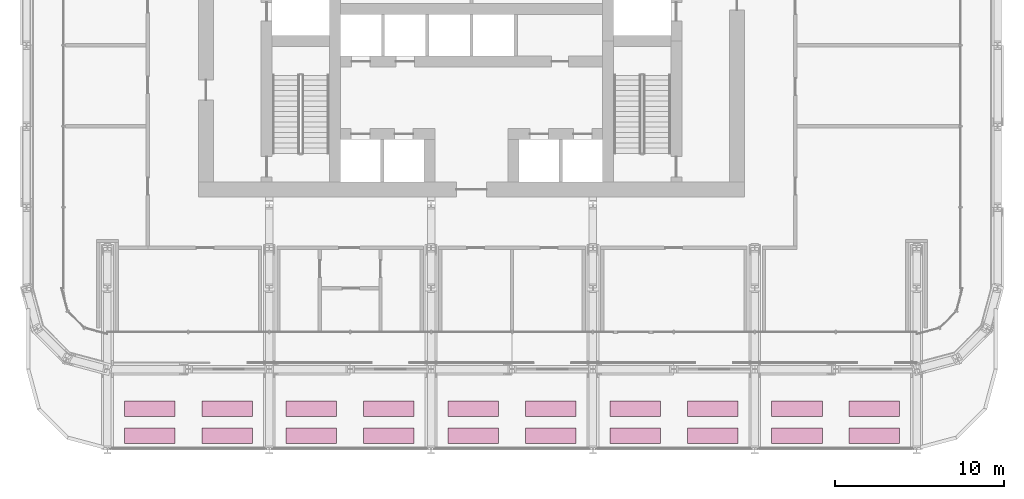
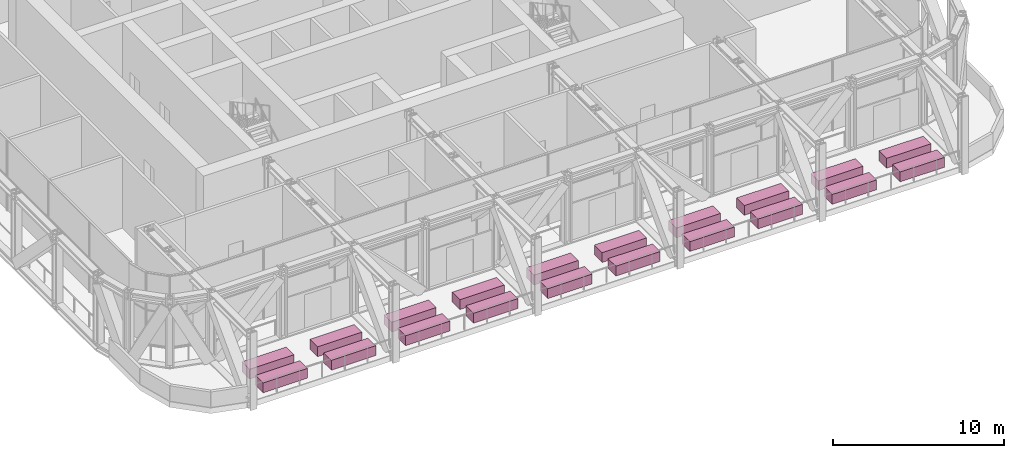
# One storey, part 23 of 23: 20 furniture elements.
"""IFC4 building model written with IfcOpenShell, lengths in metres."""

from ifc_helpers import new_model, si_unit, direction, frame, origin, origin_2d, place, context, subcontext, project, spatial, rectangle, extrude, material, type_object, element, save


model = new_model("IFC4")

# Units and contexts
model_context = context("Model", 3, precision=1e-05, world=origin(), true_north=direction((0.0, 1.0)))
body_context = subcontext(model_context, "Body", "Model", "MODEL_VIEW")
ifc_project = project(units=[si_unit("LENGTHUNIT", "METRE"), si_unit("AREAUNIT", "SQUARE_METRE"), si_unit("VOLUMEUNIT", "CUBIC_METRE"), si_unit("PLANEANGLEUNIT", "RADIAN"), si_unit("MASSUNIT", "GRAM", prefix="KILO")], contexts=[model_context])

# Site, building, storey
site_placement = place(None, origin())
site = spatial("IfcSite", under=ifc_project, at=site_placement, CompositionType="ELEMENT")
building_placement = place(site_placement, origin())
building = spatial("IfcBuilding", under=site, at=building_placement, Name="Madar Terraces", CompositionType="ELEMENT")
storey_placement = place(building_placement, frame((0.0, 0.0, 83.800048828125)))
storey = spatial("IfcBuildingStorey", under=building, at=storey_placement, Name="L21", CompositionType="ELEMENT", Elevation=83.800048828125)

# Furniture
ifc_material = material(Name="Precast concrete C30/37, planted soil", Category="concrete")
furniture_type = type_object("IfcFurnitureType", Name="Terrace planter 3000 x 900 x 700", AssemblyPlace="NOTDEFINED", PredefinedType="NOTDEFINED", material=ifc_material)
for number, where, z_axis, x_axis, name in (
    (1, (12.102294921875, 0.85009765625, 0.0400390625), (0.0, 0.0, 1.0), (1.0, 0.0, 0.0), "PLANTER L21 1"),
    (2, (16.697509765625, 0.85009765625, 0.0400390625), (0.0, 0.0, 1.0), (1.0, 0.0, 0.0), "PLANTER L21 2"),
    (3, (12.102294921875, 2.449951171875, 0.0400390625), (0.0, 0.0, 1.0), (1.0, 0.0, 0.0), "PLANTER L21 3"),
    (4, (16.697509765625, 2.449951171875, 0.0400390625), (0.0, 0.0, 1.0), (1.0, 0.0, 0.0), "PLANTER L21 4"),
    (5, (21.702392578125, 0.85009765625, 0.0400390625), (0.0, 0.0, 1.0), (1.0, 0.0, 0.0), "PLANTER L21 1"),
    (6, (26.297607421875, 0.85009765625, 0.0400390625), (0.0, 0.0, 1.0), (1.0, 0.0, 0.0), "PLANTER L21 2"),
    (7, (21.702392578125, 2.449951171875, 0.0400390625), (0.0, 0.0, 1.0), (1.0, 0.0, 0.0), "PLANTER L21 3"),
    (8, (26.297607421875, 2.449951171875, 0.0400390625), (0.0, 0.0, 1.0), (1.0, 0.0, 0.0), "PLANTER L21 4"),
    (9, (31.302490234375, 0.85009765625, 0.0400390625), (0.0, 0.0, 1.0), (1.0, 0.0, 0.0), "PLANTER L21 1"),
    (10, (35.897705078125, 0.85009765625, 0.0400390625), (0.0, 0.0, 1.0), (1.0, 0.0, 0.0), "PLANTER L21 2"),
    (11, (31.302490234375, 2.449951171875, 0.0400390625), (0.0, 0.0, 1.0), (1.0, 0.0, 0.0), "PLANTER L21 3"),
    (12, (35.897705078125, 2.449951171875, 0.0400390625), (0.0, 0.0, 1.0), (1.0, 0.0, 0.0), "PLANTER L21 4"),
    (13, (40.90234375, 0.85009765625, 0.0400390625), (0.0, 0.0, 1.0), (1.0, 0.0, 0.0), "PLANTER L21 1"),
    (14, (45.49755859375, 0.85009765625, 0.0400390625), (0.0, 0.0, 1.0), (1.0, 0.0, 0.0), "PLANTER L21 2"),
    (15, (40.90234375, 2.449951171875, 0.0400390625), (0.0, 0.0, 1.0), (1.0, 0.0, 0.0), "PLANTER L21 3"),
    (16, (45.49755859375, 2.449951171875, 0.0400390625), (0.0, 0.0, 1.0), (1.0, 0.0, 0.0), "PLANTER L21 4"),
    (17, (50.50244140625, 0.85009765625, 0.0400390625), (0.0, 0.0, 1.0), (1.0, 0.0, 0.0), "PLANTER L21 1"),
    (18, (55.09765625, 0.85009765625, 0.0400390625), (0.0, 0.0, 1.0), (1.0, 0.0, 0.0), "PLANTER L21 2"),
    (19, (50.50244140625, 2.449951171875, 0.0400390625), (0.0, 0.0, 1.0), (1.0, 0.0, 0.0), "PLANTER L21 3"),
    (20, (55.09765625, 2.449951171875, 0.0400390625), (0.0, 0.0, 1.0), (1.0, 0.0, 0.0), "PLANTER L21 4"),
):
    element("IfcFurniture", number, at=place(storey_placement, frame(where, z_axis=z_axis, x_axis=x_axis)), inside=storey, type_object=furniture_type, Name=name, PredefinedType="NOTDEFINED", context=body_context, shape_type="SweptSolid", body=[
        extrude(rectangle(XDim=3.0, YDim=0.89990234375, at=origin_2d()), origin(), (0.0, 0.0, 1.0), 0.699951171875),
    ])

save(model, "model.ifc")
